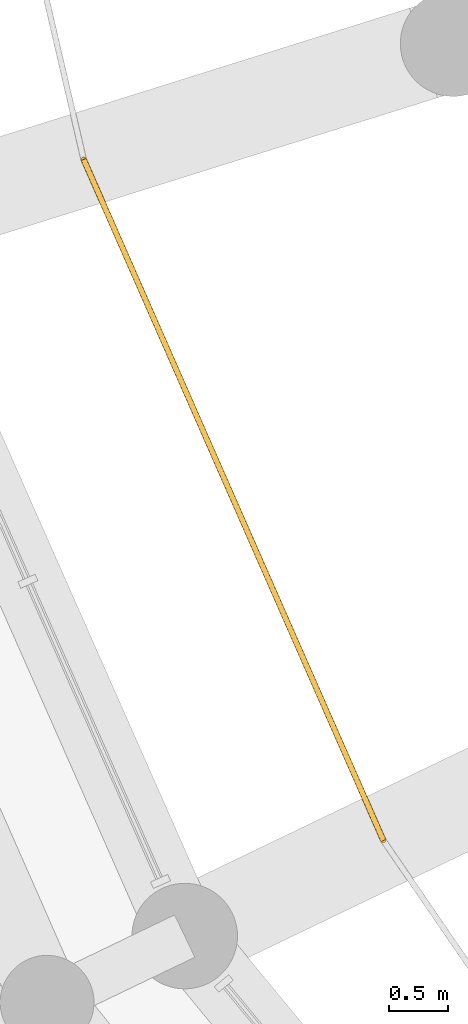
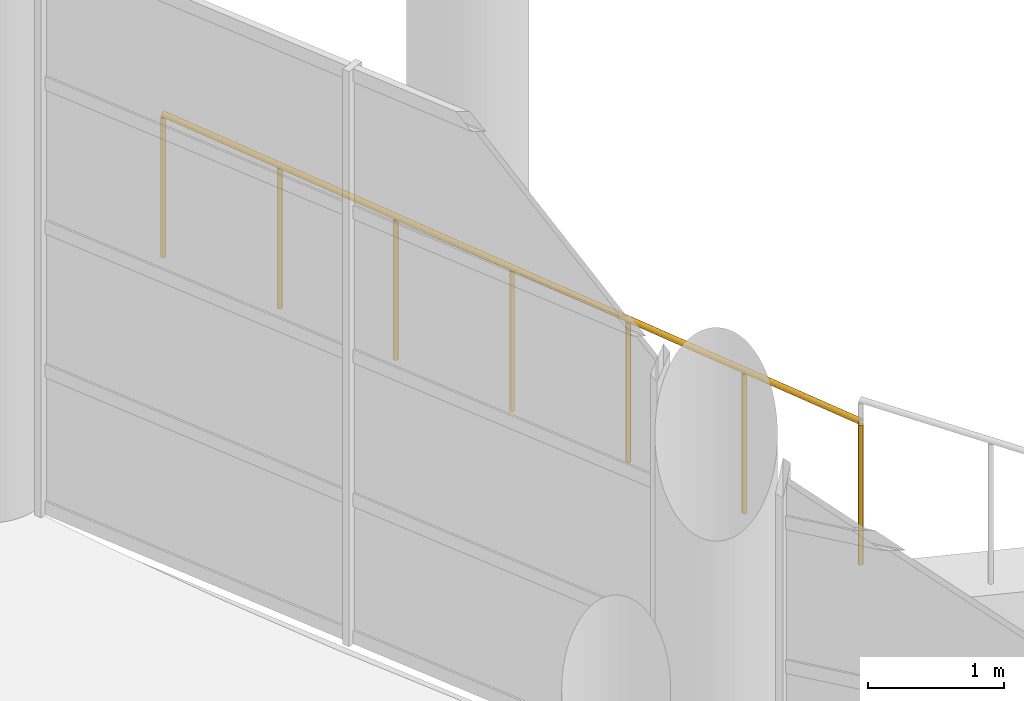
# One storey, part 227 of 271: 1 railing.
"""IFC4 building model written with IfcOpenShell, lengths in metres."""

from ifc_helpers import new_model, si_unit, direction, frame, origin, origin_2d, place, context, subcontext, project, spatial, circle, extrude, material, type_object, element, save


model = new_model("IFC4")

# Units and contexts
model_context = context("Model", 3, precision=1e-05, world=origin(), true_north=direction((0.0, 1.0)))
body_context = subcontext(model_context, "Body", "Model", "MODEL_VIEW")
ifc_project = project(units=[si_unit("LENGTHUNIT", "METRE"), si_unit("AREAUNIT", "SQUARE_METRE"), si_unit("VOLUMEUNIT", "CUBIC_METRE"), si_unit("PLANEANGLEUNIT", "RADIAN"), si_unit("MASSUNIT", "GRAM", prefix="KILO")], contexts=[model_context])

# Site, building, storey
site_placement = place(None, origin())
site = spatial("IfcSite", under=ifc_project, at=site_placement, CompositionType="ELEMENT")
building_placement = place(site_placement, origin())
building = spatial("IfcBuilding", under=site, at=building_placement, Name="Meseta Stadium", CompositionType="ELEMENT")
storey_placement = place(building_placement, frame((0.0, 0.0, 6.5)))
storey = spatial("IfcBuildingStorey", under=building, at=storey_placement, Name="L01", CompositionType="ELEMENT", Elevation=6.5)

# Railing
ifc_material = material(Name="Steel S355", Category="steel")
railing_type = type_object("IfcRailingType", Name="Stand rear guard 1300", PredefinedType="GUARDRAIL", material=ifc_material)
railing_placement = place(storey_placement, frame((-59.91015625, -56.14697265625, 1.09228515625)))
element("IfcRailing", 1, at=railing_placement, inside=storey, type_object=railing_type, Name="Stand lower tier rear guard bay 39", PredefinedType="GUARDRAIL", context=body_context, shape_type="SweptSolid", body=[
    extrude(circle(Radius=0.02490234375, at=origin_2d()), frame((0.0, 0.0, 1.27490234375), z_axis=(0.402695607316, -0.915119320954, -0.019821106544), x_axis=(0.915299138271, 0.402774735405, 0.0)), (0.0, 0.0, 1.0), 6.34326171875),
    extrude(circle(Radius=0.02001953125, at=origin_2d()), origin(), (0.0, 0.0, 1.0), 1.25),
    extrude(circle(Radius=0.02001953125, at=origin_2d()), frame((0.42578125, -0.967529296875, -0.02099609375)), (0.0, 0.0, 1.0), 1.25),
    extrude(circle(Radius=0.02001953125, at=origin_2d()), frame((0.8515625, -1.93505859375, -0.0419921875)), (0.0, 0.0, 1.0), 1.25),
    extrude(circle(Radius=0.02001953125, at=origin_2d()), frame((1.27734375, -2.90234375, -0.06298828125)), (0.0, 0.0, 1.0), 1.25),
    extrude(circle(Radius=0.02001953125, at=origin_2d()), frame((1.702880859375, -3.869873046875, -0.083740234375)), (0.0, 0.0, 1.0), 1.25),
    extrude(circle(Radius=0.02001953125, at=origin_2d()), frame((2.128662109375, -4.83740234375, -0.104736328125)), (0.0, 0.0, 1.0), 1.25),
    extrude(circle(Radius=0.02001953125, at=origin_2d()), frame((2.554443359375, -5.804931640625, -0.125732421875)), (0.0, 0.0, 1.0), 1.25),
])

save(model, "model.ifc")
